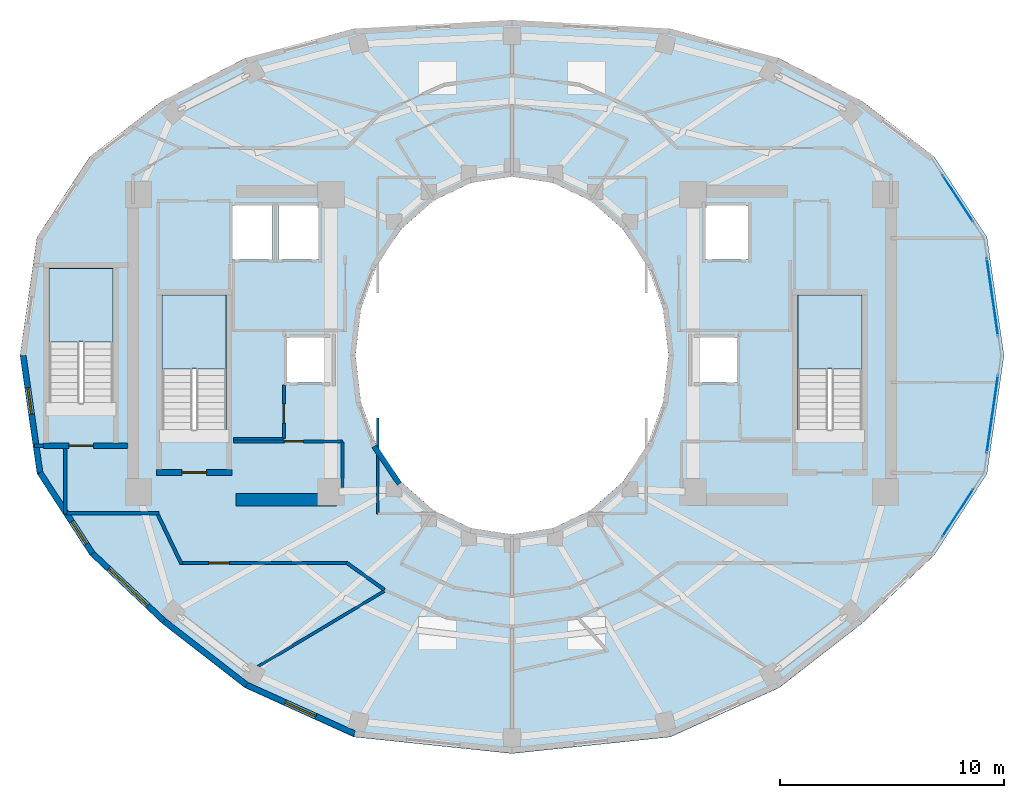
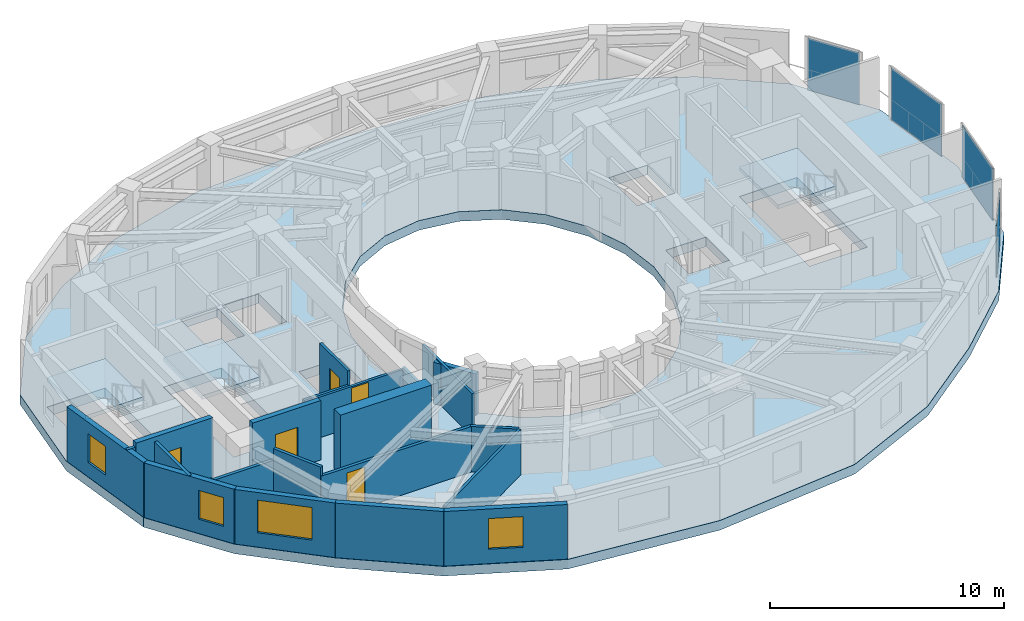
# One storey, part 5 of 12: 21 walls, 5 doors, 4 plates, 4 slabs, 4 windows, 9 openings, 7 elements without a shape of their own.
"""IFC4 building model written with IfcOpenShell, lengths in metres."""

import ifcopenshell
import ifcopenshell.guid

model = None  # the IFC model being written
_history = None  # IfcOwnerHistory: only IFC2X3 demands one
_inside = {}  # id of a spatial element -> (the spatial element, [elements in it])
_under = {}  # id of a project, library or spatial element -> (it, [spatial elements below it])
_declared = {}  # id of a project -> (the project, [libraries it declares])
_typed = {}  # id of a type object -> (the type object, [elements of that type])
_made_of = {}  # id of a material, layer set ... -> (it, [elements and type objects made of it])


def new_model(schema):
    """Start an empty IFC model of exactly this schema.

    Asked for "IFC4X3", IfcOpenShell would pick the latest addendum, in which some entities
    have other attributes; the version numbers below select the first issue.
    IFC2X3 requires an IfcOwnerHistory on every rooted entity: one is made here for all.
    """
    global model, _history
    if schema == "IFC4X3":
        model = ifcopenshell.file(schema_version=(4, 3, 0, 0))
    else:
        model = ifcopenshell.file(schema=schema)
    _inside.clear()
    _under.clear()
    _declared.clear()
    _typed.clear()
    _made_of.clear()
    _history = None
    if model.schema == "IFC2X3":
        org = make("IfcOrganization", Name="unknown")
        user = make(
            "IfcPersonAndOrganization",
            ThePerson=make("IfcPerson", FamilyName="unknown"),
            TheOrganization=org,
        )
        app = make(
            "IfcApplication",
            ApplicationDeveloper=org,
            Version="unknown",
            ApplicationFullName="unknown",
            ApplicationIdentifier="unknown",
        )
        _history = make(
            "IfcOwnerHistory",
            OwningUser=user,
            OwningApplication=app,
            ChangeAction="ADDED",
            CreationDate=0,
        )
    return model


def make(cls, **values):
    """One entity of the class cls with the attributes given. An attribute that is None is left unset."""
    return model.create_entity(
        cls, **{name: value for name, value in values.items() if value is not None}
    )


def rooted(cls, **values):
    """An entity with a GlobalId (a new one), such as an element, a storey or a relation."""
    return make(cls, GlobalId=ifcopenshell.guid.new(), OwnerHistory=_history, **values)


def si_unit(unit_type, name, prefix=None):
    """IfcSIUnit, for example si_unit("LENGTHUNIT", "METRE", prefix="MILLI")."""
    return make("IfcSIUnit", UnitType=unit_type, Prefix=prefix, Name=name)


def assignment(units):
    """IfcUnitAssignment: the units of a project."""
    return None if units is None else make("IfcUnitAssignment", Units=units)


def point(xyz):
    """IfcCartesianPoint."""
    return None if xyz is None else make("IfcCartesianPoint", Coordinates=xyz)


def direction(xyz):
    """IfcDirection."""
    return None if xyz is None else make("IfcDirection", DirectionRatios=xyz)


def frame(location, z_axis=None, x_axis=None):
    """IfcAxis2Placement3D, a coordinate frame: its origin and axes. An axis left out is left unset."""
    return make(
        "IfcAxis2Placement3D",
        Location=point(location),
        Axis=direction(z_axis),
        RefDirection=direction(x_axis),
    )


def frame_2d(location, x_axis=None):
    """IfcAxis2Placement2D, a coordinate frame in the plane: its origin and x axis."""
    return make(
        "IfcAxis2Placement2D", Location=point(location), RefDirection=direction(x_axis)
    )


def origin():
    """The frame at (0, 0, 0) with its axes left unset."""
    return frame((0.0, 0.0, 0.0))


def origin_2d():
    """The frame at (0, 0) in the plane with its x axis left unset."""
    return frame_2d((0.0, 0.0))


def place(relative_to, where):
    """IfcLocalPlacement: puts the frame where relative to a parent placement (None: the world)."""
    return make(
        "IfcLocalPlacement", PlacementRelTo=relative_to, RelativePlacement=where
    )


def context(
    kind, dimensions, precision=None, world=None, true_north=None, identifier=None
):
    """IfcGeometricRepresentationContext, for example the 3D "Model" context."""
    return make(
        "IfcGeometricRepresentationContext",
        ContextIdentifier=identifier,
        ContextType=kind,
        CoordinateSpaceDimension=dimensions,
        Precision=precision,
        WorldCoordinateSystem=world,
        TrueNorth=true_north,
    )


def subcontext(parent, identifier, kind, view, scale=None):
    """IfcGeometricRepresentationSubContext, for example "Body" below "Model"."""
    return make(
        "IfcGeometricRepresentationSubContext",
        ContextIdentifier=identifier,
        ContextType=kind,
        ParentContext=parent,
        TargetScale=scale,
        TargetView=view,
    )


def project(units=None, contexts=None):
    """IfcProject with its units and contexts."""
    return rooted(
        "IfcProject",
        Name="project",
        RepresentationContexts=contexts,
        UnitsInContext=assignment(units),
    )


def spatial(cls, under=None, at=None, **own):
    """A site, building, storey or space (cls), placed at a placement, below another one or the project."""
    s = rooted(cls, ObjectPlacement=at, **own)
    if under is not None:
        _under.setdefault(under.id(), (under, []))[1].append(s)
    return s


def polyline(points):
    """IfcPolyline through the points."""
    return make("IfcPolyline", Points=[point(p) for p in points])


def profile(cls, at=None, kind="AREA", **sizes):
    """A parametric profile (cls). Its sizes go by their IFC names, for example OverallWidth=200.0."""
    return make(cls, ProfileType=kind, Position=at, **sizes)


def rectangle(**sizes):
    """IfcRectangleProfileDef."""
    return profile("IfcRectangleProfileDef", **sizes)


def outline(outer, holes=None, kind="AREA"):
    """IfcArbitraryClosedProfileDef: a profile drawn as a closed curve; with holes, ...WithVoids."""
    if holes is None:
        return make("IfcArbitraryClosedProfileDef", ProfileType=kind, OuterCurve=outer)
    return make(
        "IfcArbitraryProfileDefWithVoids",
        ProfileType=kind,
        OuterCurve=outer,
        InnerCurves=holes,
    )


def extrude(swept, where, along, depth):
    """IfcExtrudedAreaSolid: the profile swept, set in the frame where, extruded along a direction by depth."""
    return make(
        "IfcExtrudedAreaSolid",
        SweptArea=swept,
        Position=where,
        ExtrudedDirection=direction(along),
        Depth=depth,
    )


def shape(context_of_items, identifier, shape_type, items):
    """IfcShapeRepresentation: the items that make up one representation, for example the "Body"."""
    return make(
        "IfcShapeRepresentation",
        ContextOfItems=context_of_items,
        RepresentationIdentifier=identifier,
        RepresentationType=shape_type,
        Items=items,
    )


def material(Name=None, Category=None):
    """IfcMaterial."""
    return make("IfcMaterial", Name=Name, Category=Category)


def layer(
    of_material, thickness, ventilated=None, Name=None, Category=None, Priority=None
):
    """IfcMaterialLayer: one layer of a wall or slab, of a material (None: an air gap)."""
    return make(
        "IfcMaterialLayer",
        Material=of_material,
        LayerThickness=thickness,
        IsVentilated=ventilated,
        Name=Name,
        Category=Category,
        Priority=Priority,
    )


def layer_set(layers, Name=None):
    """IfcMaterialLayerSet."""
    return make("IfcMaterialLayerSet", MaterialLayers=layers, LayerSetName=Name)


def made_of(thing, what):
    """Note that an element or type object is made of a material, layer set ...; save() writes the relation."""
    if what is not None:
        _made_of.setdefault(what.id(), (what, []))[1].append(thing)
    return thing


def type_object(cls, material=None, **own):
    """A type object (cls), such as IfcWallType, which elements share."""
    return made_of(rooted(cls, **own), material)


def element(
    cls,
    number,
    at=None,
    inside=None,
    cuts=None,
    type_object=None,
    material=None,
    context=None,
    identifier="Body",
    shape_type=None,
    held_by="IfcProductDefinitionShape",
    body=None,
    shapes=None,
    **own,
):
    """One element of the class cls, such as IfcWall. Its Tag is "e" and its number.

    at: its placement. inside: the storey or other place that contains it. cuts: it is an
    opening in that element (IfcRelVoidsElement). A single representation is given by context,
    identifier, shape_type and body (its items); several are given by shapes. held_by: the class
    of the entity that holds the representations. save() writes the other relations.
    """
    e = rooted(cls, Tag="e%d" % number, ObjectPlacement=at, **own)
    if body is not None:
        shapes = [shape(context, identifier, shape_type, body)]
    if shapes is not None:
        e.Representation = make(held_by, Representations=shapes)
    if inside is not None:
        _inside.setdefault(inside.id(), (inside, []))[1].append(e)
    if cuts is not None:
        rooted(
            "IfcRelVoidsElement", RelatingBuildingElement=cuts, RelatedOpeningElement=e
        )
    if type_object is not None:
        _typed.setdefault(type_object.id(), (type_object, []))[1].append(e)
    return made_of(e, material)


def fill(opening, filler):
    """IfcRelFillsElement: the door or window that sits in an opening."""
    return rooted(
        "IfcRelFillsElement",
        RelatingOpeningElement=opening,
        RelatedBuildingElement=filler,
    )


def aggregate(whole, parts):
    """IfcRelAggregates: a whole, such as a stair, and the parts it consists of."""
    return rooted("IfcRelAggregates", RelatingObject=whole, RelatedObjects=parts)


def save(model, path):
    """Write the relations noted so far, then the file.

    IfcRelAggregates (storeys below a building ...), IfcRelContainedInSpatialStructure (elements
    in a storey), IfcRelDefinesByType, IfcRelAssociatesMaterial and IfcRelDeclares: one each for
    every whole, place, type object, material and project.
    """
    for whole, parts in _under.values():
        aggregate(whole, parts)
    for where, things in _inside.values():
        rooted(
            "IfcRelContainedInSpatialStructure",
            RelatedElements=things,
            RelatingStructure=where,
        )
    for kind, things in _typed.values():
        rooted("IfcRelDefinesByType", RelatedObjects=things, RelatingType=kind)
    for what, things in _made_of.values():
        rooted("IfcRelAssociatesMaterial", RelatedObjects=things, RelatingMaterial=what)
    for by, libraries in _declared.values():
        rooted("IfcRelDeclares", RelatingContext=by, RelatedDefinitions=libraries)
    model.write(path)


model = new_model("IFC4")

# Units and contexts
model_context = context("Model", 3, precision=1e-05, world=origin(), true_north=direction((0.0, 1.0)))
body_context = subcontext(model_context, "Body", "Model", "MODEL_VIEW")
ifc_project = project(units=[si_unit("LENGTHUNIT", "METRE"), si_unit("AREAUNIT", "SQUARE_METRE"), si_unit("VOLUMEUNIT", "CUBIC_METRE"), si_unit("PLANEANGLEUNIT", "RADIAN"), si_unit("MASSUNIT", "GRAM", prefix="KILO")], contexts=[model_context])

# Site, building, storey
site_placement = place(None, origin())
site = spatial("IfcSite", under=ifc_project, at=site_placement, CompositionType="ELEMENT")
building_placement = place(site_placement, origin())
building = spatial("IfcBuilding", under=site, at=building_placement, Name="Solvane Sanctuary Tower", CompositionType="ELEMENT")
storey_placement = place(building_placement, frame((0.0, 0.0, 210.89990234375)))
storey = spatial("IfcBuildingStorey", under=building, at=storey_placement, Name="L64", CompositionType="ELEMENT", Elevation=210.89990234375)

# Curtain wall, plate
ifc_material_1 = material(Name="Anodised Aluminium 6063-T6", Category="aluminium")
ifc_layer_1 = layer(ifc_material_1, 0.2099609375, Name="Anodised Aluminium 6063-T6")
ifc_layer_set_1 = layer_set([ifc_layer_1], Name="Anodised Aluminium 6063-T6")
curtain_wall_type = type_object("IfcCurtainWallType", Name="Curtain Wall CW-PORTAL", PredefinedType="NOTDEFINED", material=ifc_layer_set_1)
curtain_wall_1_placement = place(storey_placement, origin())
curtain_wall_1 = element("IfcCurtainWall", 1, at=curtain_wall_1_placement, inside=storey, type_object=curtain_wall_type, Name="L64 CW-PORTAL Facade Run 00", PredefinedType="NOTDEFINED")
ifc_material_2 = material(Name="Dark Ceramic-Fritted Low-E Glass", Category="glass")
ifc_layer_2 = layer(ifc_material_2, 0.031982421875, Name="Dark Ceramic-Fritted Low-E Glass")
ifc_layer_set_2 = layer_set([ifc_layer_2], Name="Dark Ceramic-Fritted Low-E Glass")
plate_type = type_object("IfcPlateType", Name="Plate PN-FRIT-VIS", PredefinedType="CURTAIN_PANEL", material=ifc_layer_set_2)
plate_1_placement = place(storey_placement, frame((53.482421875, 25.619384765625, 0.065185546875), z_axis=(0.0, 0.0, 1.0), x_axis=(-0.142705117998, 0.989765249591, 0.0)))
plate_1 = element("IfcPlate", 2, at=plate_1_placement, type_object=plate_type, Name="CW-PORTAL panel 1.1", PredefinedType="CURTAIN_PANEL", context=body_context, shape_type="SweptSolid", body=[
    extrude(rectangle(XDim=3.5029296875, YDim=0.031982421875, at=origin_2d()), origin(), (0.0, 0.0, 1.0), 2.7099609375),
])
aggregate(curtain_wall_1, [plate_1])

curtain_wall_2_placement = place(storey_placement, origin())
curtain_wall_2 = element("IfcCurtainWall", 3, at=curtain_wall_2_placement, inside=storey, type_object=curtain_wall_type, Name="L64 CW-PORTAL Facade Run 01", PredefinedType="NOTDEFINED")
plate_2_placement = place(storey_placement, frame((51.932861328125, 30.02392578125, 0.065185546875), z_axis=(0.0, 0.0, 1.0), x_axis=(-0.548791766298, 0.83595908826, 0.0)))
plate_2 = element("IfcPlate", 4, at=plate_2_placement, type_object=plate_type, Name="CW-PORTAL panel 1.1", PredefinedType="CURTAIN_PANEL", context=body_context, shape_type="SweptSolid", body=[
    extrude(rectangle(XDim=2.48095703125, YDim=0.031982421875, at=origin_2d()), origin(), (0.0, 0.0, 1.0), 2.7099609375),
])
aggregate(curtain_wall_2, [plate_2])

curtain_wall_3_placement = place(storey_placement, origin())
curtain_wall_3 = element("IfcCurtainWall", 5, at=curtain_wall_3_placement, inside=storey, type_object=curtain_wall_type, Name="L64 CW-PORTAL Facade Run 22", PredefinedType="NOTDEFINED")
plate_3_placement = place(storey_placement, frame((51.932861328125, 15.955810546875, 0.065185546875), z_axis=(0.0, 0.0, 1.0), x_axis=(0.54447378782, 0.838777857586, 0.0)))
plate_3 = element("IfcPlate", 6, at=plate_3_placement, type_object=plate_type, Name="CW-PORTAL panel 1.1", PredefinedType="CURTAIN_PANEL", context=body_context, shape_type="SweptSolid", body=[
    extrude(rectangle(XDim=2.5146484375, YDim=0.031982421875, at=origin_2d()), origin(), (0.0, 0.0, 1.0), 2.7099609375),
])
aggregate(curtain_wall_3, [plate_3])

curtain_wall_4_placement = place(storey_placement, origin())
curtain_wall_4 = element("IfcCurtainWall", 7, at=curtain_wall_4_placement, inside=storey, type_object=curtain_wall_type, Name="L64 CW-PORTAL Facade Run 23", PredefinedType="NOTDEFINED")
plate_4_placement = place(storey_placement, frame((53.482421875, 20.380615234375, 0.065185546875), z_axis=(0.0, 0.0, 1.0), x_axis=(0.142705117998, 0.989765249591, 0.0)))
plate_4 = element("IfcPlate", 8, at=plate_4_placement, type_object=plate_type, Name="CW-PORTAL panel 1.1", PredefinedType="CURTAIN_PANEL", context=body_context, shape_type="SweptSolid", body=[
    extrude(rectangle(XDim=3.5029296875, YDim=0.031982421875, at=origin_2d()), origin(), (0.0, 0.0, 1.0), 2.7099609375),
])
aggregate(curtain_wall_4, [plate_4])

# Stair, slab
ifc_material_3 = material(Name="Concrete C45/55", Category="concrete")
stair_type = type_object("IfcStairType", Name="Stair ST-TOW", PredefinedType="HALF_TURN_STAIR", material=ifc_material_3)
stair_1_placement = place(storey_placement, origin())
stair_1 = element("IfcStair", 9, at=stair_1_placement, inside=storey, type_object=stair_type, Name="L64 Exit Stair ST-1 West Core", PredefinedType="HALF_TURN_STAIR")
ifc_layer_3 = layer(ifc_material_3, 0.199951171875, Name="Concrete C45/55")
ifc_layer_set_3 = layer_set([ifc_layer_3], Name="Concrete C45/55")
slab_type_1 = type_object("IfcSlabType", Name="Slab SL-LAND-180", PredefinedType="LANDING", material=ifc_layer_set_3)
slab_1_placement = place(storey_placement, frame((0.0, 0.0, 1.35009765625)))
slab_1 = element("IfcSlab", 10, at=slab_1_placement, type_object=slab_type_1, Name="ST-1 landing 1", PredefinedType="LANDING", context=body_context, shape_type="SweptSolid", body=[
    extrude(outline(polyline([(19.219970703125, 22.39990234375), (19.219970703125, 25.699951171875), (16.360107421875, 25.699951171875), (16.360107421875, 22.39990234375), (19.219970703125, 22.39990234375)])), origin(), (0.0, 0.0, 1.0), 0.199951171875),
])
aggregate(stair_1, [slab_1])

stair_2_placement = place(storey_placement, origin())
stair_2 = element("IfcStair", 11, at=stair_2_placement, inside=storey, type_object=stair_type, Name="L64 Exit Stair ST-2 East Core", PredefinedType="HALF_TURN_STAIR")
slab_2_placement = place(storey_placement, frame((0.0, 0.0, 1.35009765625)))
slab_2 = element("IfcSlab", 12, at=slab_2_placement, type_object=slab_type_1, Name="ST-2 landing 1", PredefinedType="LANDING", context=body_context, shape_type="SweptSolid", body=[
    extrude(outline(polyline([(47.639892578125, 22.39990234375), (47.639892578125, 25.699951171875), (44.780029296875, 25.699951171875), (44.780029296875, 22.39990234375), (47.639892578125, 22.39990234375)])), origin(), (0.0, 0.0, 1.0), 0.199951171875),
])
aggregate(stair_2, [slab_2])

stair_3_placement = place(storey_placement, origin())
stair_3 = element("IfcStair", 13, at=stair_3_placement, inside=storey, type_object=stair_type, Name="L64 Exit Stair ST-3 Pilgrim Tower Stair", PredefinedType="HALF_TURN_STAIR")
slab_3_placement = place(storey_placement, frame((0.0, 0.0, 1.35009765625)))
slab_3 = element("IfcSlab", 14, at=slab_3_placement, type_object=slab_type_1, Name="ST-3 landing 1", PredefinedType="LANDING", context=body_context, shape_type="SweptSolid", body=[
    extrude(outline(polyline([(14.159912109375, 23.60009765625), (14.159912109375, 26.89990234375), (11.300048828125, 26.89990234375), (11.300048828125, 23.60009765625), (14.159912109375, 23.60009765625)])), origin(), (0.0, 0.0, 1.0), 0.199951171875),
])
aggregate(stair_3, [slab_3])

# Slab
ifc_material_4 = material(Name="Concrete C60/75", Category="concrete")
ifc_layer_4 = layer(ifc_material_4, 0.5, Name="Concrete C60/75")
ifc_layer_set_4 = layer_set([ifc_layer_4], Name="Concrete C60/75")
slab_type_2 = type_object("IfcSlabType", Name="Slab SL-XFER-500", PredefinedType="FLOOR", material=ifc_layer_set_4)
slab_4_placement = place(storey_placement, frame((0.0, 0.0, -0.5)))
element("IfcSlab", 15, at=slab_4_placement, inside=storey, type_object=slab_type_2, Name="L64 Primary Structural Slab", PredefinedType="FLOOR", context=body_context, shape_type="SweptSolid", body=[
    extrude(outline(polyline([(54.0, 23.0), (53.239990234375, 28.283935546875), (50.881103515625, 31.885009765625), (47.6572265625, 34.369384765625), (43.946044921875, 36.29052734375), (39.088134765625, 37.609375), (32.0, 38.0), (24.911865234375, 37.609375), (20.053955078125, 36.29052734375), (16.3427734375, 34.369384765625), (13.118896484375, 31.885009765625), (10.760009765625, 28.283935546875), (10.0, 23.0), (10.760009765625, 17.716064453125), (13.118896484375, 14.074462890625), (16.3427734375, 11.02587890625), (20.053955078125, 8.140625), (24.911865234375, 5.942626953125), (32.0, 5.199951171875), (39.088134765625, 5.942626953125), (43.946044921875, 8.140625), (47.6572265625, 11.02587890625), (50.881103515625, 14.074462890625), (53.239990234375, 17.716064453125), (54.0, 23.0)]), holes=[polyline([(38.761474609375, 20.929443359375), (38.062255859375, 19.0), (36.94970703125, 17.343017578125), (35.5, 16.07177734375), (33.811767578125, 15.272705078125), (32.0, 15.0), (30.188232421875, 15.272705078125), (28.5, 16.07177734375), (27.05029296875, 17.343017578125), (25.937744140625, 19.0), (25.238525390625, 20.929443359375), (25.0, 23.0), (25.238525390625, 25.070556640625), (25.937744140625, 27.0), (27.05029296875, 28.656982421875), (28.5, 29.92822265625), (30.188232421875, 30.727294921875), (32.0, 31.0), (33.811767578125, 30.727294921875), (35.5, 29.92822265625), (36.94970703125, 28.656982421875), (38.062255859375, 27.0), (38.761474609375, 25.070556640625), (39.0, 23.0), (38.761474609375, 20.929443359375)]), polyline([(16.360107421875, 19.699951171875), (16.360107421875, 25.699951171875), (19.219970703125, 25.699951171875), (19.219970703125, 19.699951171875), (16.360107421875, 19.699951171875)]), polyline([(44.780029296875, 19.699951171875), (44.780029296875, 25.699951171875), (47.639892578125, 25.699951171875), (47.639892578125, 19.699951171875), (44.780029296875, 19.699951171875)]), polyline([(11.300048828125, 20.89990234375), (11.300048828125, 26.89990234375), (14.159912109375, 26.89990234375), (14.159912109375, 20.89990234375), (11.300048828125, 20.89990234375)]), polyline([(21.949951171875, 23.800048828125), (23.949951171875, 23.800048828125), (23.949951171875, 21.800048828125), (21.949951171875, 21.800048828125), (21.949951171875, 23.800048828125)]), polyline([(40.050048828125, 23.800048828125), (42.050048828125, 23.800048828125), (42.050048828125, 21.800048828125), (40.050048828125, 21.800048828125), (40.050048828125, 23.800048828125)]), polyline([(19.5, 29.699951171875), (21.300048828125, 29.699951171875), (21.300048828125, 27.300048828125), (19.5, 27.300048828125), (19.5, 29.699951171875)]), polyline([(21.550048828125, 29.699951171875), (23.35009765625, 29.699951171875), (23.35009765625, 27.300048828125), (21.550048828125, 27.300048828125), (21.550048828125, 29.699951171875)]), polyline([(40.64990234375, 29.699951171875), (42.550048828125, 29.699951171875), (42.550048828125, 27.300048828125), (40.64990234375, 27.300048828125), (40.64990234375, 29.699951171875)])]), origin(), (0.0, 0.0, 1.0), 0.5),
])

# Walls
ifc_material_5 = material(Name="Concrete C50/60", Category="concrete")
ifc_layer_5 = layer(ifc_material_5, 0.550048828125, Name="Concrete C50/60")
ifc_layer_set_5 = layer_set([ifc_layer_5], Name="Concrete C50/60")
wall_type_1 = type_object("IfcWallType", Name="Wall W-CORE-550", PredefinedType="SHEAR", material=ifc_layer_set_5)
wall_1_placement = place(storey_placement, frame((19.64990234375, 16.550048828125, 0.0), z_axis=(0.0, 0.0, 1.0), x_axis=(1.0, 0.0, 0.0)))
element("IfcWall", 16, at=wall_1_placement, inside=storey, type_object=wall_type_1, Name="L64 Core Shear Wall WC-S", PredefinedType="SHEAR", context=body_context, shape_type="SweptSolid", body=[
    extrude(rectangle(XDim=4.5, YDim=0.550048828125, at=frame_2d((2.25, 0.0))), origin(), (0.0, 0.0, 1.0), 3.10009765625),
])
ifc_material_6 = material(Name="Acoustic Gypsum Partition Board")
ifc_layer_6 = layer(ifc_material_6, 0.14990234375, Name="Acoustic Gypsum Partition Board")
ifc_layer_set_6 = layer_set([ifc_layer_6], Name="Acoustic Gypsum Partition Board")
wall_type_2 = type_object("IfcWallType", Name="Wall W-CORR-150", PredefinedType="PARTITIONING", material=ifc_layer_set_6)
wall_2_placement = place(storey_placement, frame((10.639892578125, 18.969970703125, 0.0), z_axis=(0.0, 0.0, 1.0), x_axis=(1.0, 0.0, 0.0)))
element("IfcWall", 17, at=wall_2_placement, inside=storey, type_object=wall_type_2, Name="L64 SW Corner Closer 1", PredefinedType="PARTITIONING", context=body_context, shape_type="SweptSolid", body=[
    extrude(rectangle(XDim=0.400146484375, YDim=0.14990234375, at=frame_2d((0.2001953125, 0.0))), origin(), (0.0, 0.0, 1.0), 2.85498046875),
])
wall_3_placement = place(storey_placement, frame((12.02001953125, 15.909912109375, 0.0), z_axis=(0.0, 0.0, 1.0), x_axis=(0.0, 1.0, 0.0)))
element("IfcWall", 18, at=wall_3_placement, inside=storey, type_object=wall_type_2, Name="L64 SW Corner Closer 2", PredefinedType="PARTITIONING", context=body_context, shape_type="SweptSolid", body=[
    extrude(rectangle(XDim=2.93017578125, YDim=0.14990234375, at=frame_2d((1.465087890625, 0.0))), origin(), (0.0, 0.0, 1.0), 2.85498046875),
])
wall_4_placement = place(storey_placement, frame((11.97998046875, 15.949951171875, 0.0), z_axis=(0.0, 0.0, 1.0), x_axis=(1.0, 0.0, 0.0)))
element("IfcWall", 19, at=wall_4_placement, inside=storey, type_object=wall_type_2, Name="L64 SW Corner Closer 3", PredefinedType="PARTITIONING", context=body_context, shape_type="SweptSolid", body=[
    extrude(rectangle(XDim=4.239990234375, YDim=0.14990234375, at=frame_2d((2.1201171875, 0.0))), origin(), (0.0, 0.0, 1.0), 2.22021484375),
])
wall_5_placement = place(storey_placement, frame((26.290283203125, 12.527099609375, 0.0), z_axis=(0.0, 0.0, 1.0), x_axis=(-0.813780999276, 0.581171648669, 0.0)))
element("IfcWall", 20, at=wall_5_placement, inside=storey, type_object=wall_type_2, Name="L64 SW Corner Throat Wall", PredefinedType="PARTITIONING", context=body_context, shape_type="SweptSolid", body=[
    extrude(rectangle(XDim=2.082275390625, YDim=0.14990234375, at=frame_2d((1.041015625, 0.0))), origin(), (0.0, 0.0, 1.0), 2.3759765625),
])

# Wall, opening, door
wall_6_placement = place(storey_placement, frame((17.14990234375, 13.719970703125, 0.0), z_axis=(0.0, 0.0, 1.0), x_axis=(1.0, 0.0, 0.0)))
wall_6 = element("IfcWall", 21, at=wall_6_placement, inside=storey, type_object=wall_type_2, Name="L64 SW Corner Corridor Wall", PredefinedType="PARTITIONING", context=body_context, shape_type="SweptSolid", body=[
    extrude(rectangle(XDim=7.52001953125, YDim=0.14990234375, at=frame_2d((3.760009765625, 0.0))), origin(), (0.0, 0.0, 1.0), 2.3759765625),
])
opening_1_placement = place(wall_6_placement, frame((1.300048828125, 0.0, 0.0)))
opening_1 = element("IfcOpeningElement", 22, at=opening_1_placement, cuts=wall_6, Name="Opening D-L64-21", PredefinedType="OPENING", context=body_context, shape_type="SweptSolid", body=[
    extrude(rectangle(XDim=0.89990234375, YDim=2.10009765625, at=frame_2d((0.449951171875, 1.050048828125))), frame((0.0, 0.0849609375, 0.0), z_axis=(0.0, -1.0, 0.0), x_axis=(1.0, 0.0, 0.0)), (0.0, 0.0, 1.0), 0.169921875),
])
ifc_material_7 = material(Name="Engineered Tropical Hardwood", Category="wood")
door_type_1 = type_object("IfcDoorType", Name="Door D-WET-900", OperationType="NOTDEFINED", PredefinedType="DOOR", material=ifc_material_7)
door_1_placement = place(opening_1_placement, origin())
door_1 = element("IfcDoor", 23, at=door_1_placement, inside=storey, type_object=door_type_1, Name="L64 SW Corner Salon Door", OperationType="SINGLE_SWING_LEFT", OverallHeight=2.10009765625, OverallWidth=0.89990234375, PredefinedType="DOOR", context=body_context, shape_type="SweptSolid", body=[
    extrude(rectangle(XDim=0.89990234375, YDim=2.10009765625, at=frame_2d((0.449951171875, 1.050048828125))), frame((0.0, 0.02490234375, 0.0), z_axis=(0.0, -1.0, 0.0), x_axis=(1.0, 0.0, 0.0)), (0.0, 0.0, 1.0), 0.050048828125),
])
fill(opening_1, door_1)

# Wall
wall_7_placement = place(storey_placement, frame((17.2216796875, 13.6748046875, 0.0), z_axis=(0.0, 0.0, 1.0), x_axis=(-0.431973389813, 0.901886351207, 0.0)))
element("IfcWall", 24, at=wall_7_placement, inside=storey, type_object=wall_type_2, Name="L64 SW Corner Wing Wall", PredefinedType="PARTITIONING", context=body_context, shape_type="SweptSolid", body=[
    extrude(rectangle(XDim=2.45166015625, YDim=0.14990234375, at=frame_2d((1.225830078125, 0.0))), origin(), (0.0, 0.0, 1.0), 2.85498046875),
])

# Wall, opening, window
ifc_material_8 = material(Name="Precast concrete C40/50", Category="concrete")
ifc_layer_7 = layer(ifc_material_8, 0.260009765625, Name="Precast concrete C40/50")
ifc_layer_set_7 = layer_set([ifc_layer_7], Name="Precast concrete C40/50")
wall_type_3 = type_object("IfcWallType", Name="Wall W-EXT-250", PredefinedType="STANDARD", material=ifc_layer_set_7)
wall_8_placement = place(storey_placement, frame((10.139892578125, 23.0, 0.0), z_axis=(0.0, 0.0, 1.0), x_axis=(0.142712754019, -0.989764148593, 0.0)))
wall_8 = element("IfcWall", 25, at=wall_8_placement, inside=storey, type_object=wall_type_3, Name="L64 Ceramic-Printed Facade Wall 12", PredefinedType="STANDARD", context=body_context, shape_type="SweptSolid", body=[
    extrude(rectangle(XDim=5.29296875, YDim=0.260009765625, at=frame_2d((2.646484375, 0.0))), origin(), (0.0, 0.0, 1.0), 2.85009765625),
])
opening_2_placement = place(wall_8_placement, frame((1.4580078125, 0.0, 0.75)))
opening_2 = element("IfcOpeningElement", 26, at=opening_2_placement, cuts=wall_8, Name="Opening WN-OPER-1200", PredefinedType="OPENING", context=body_context, shape_type="SweptSolid", body=[
    extrude(rectangle(XDim=1.199951171875, YDim=1.5, at=frame_2d((0.60009765625, 0.75))), frame((0.0, 0.139892578125, 0.0), z_axis=(0.0, -1.0, 0.0), x_axis=(1.0, 0.0, 0.0)), (0.0, 0.0, 1.0), 0.280029296875),
])
window_type_1 = type_object("IfcWindowType", Name="Window WN-OPER-1200", PartitioningType="SINGLE_PANEL", PredefinedType="WINDOW", material=ifc_material_2)
window_1_placement = place(opening_2_placement, origin())
window_1 = element("IfcWindow", 27, at=window_1_placement, inside=storey, type_object=window_type_1, Name="L64 Operable Facade Window 12", OverallHeight=1.5, OverallWidth=1.199951171875, PartitioningType="SINGLE_PANEL", PredefinedType="WINDOW", context=body_context, shape_type="SweptSolid", body=[
    extrude(rectangle(XDim=1.199951171875, YDim=1.5, at=frame_2d((0.60009765625, 0.75))), frame((0.0, 0.030029296875, 0.0), z_axis=(0.0, -1.0, 0.0), x_axis=(1.0, 0.0, 0.0)), (0.0, 0.0, 1.0), 0.06005859375),
])
fill(opening_2, window_1)

wall_9_placement = place(storey_placement, frame((10.895263671875, 17.76123046875, 0.0), z_axis=(0.0, 0.0, 1.0), x_axis=(0.544475908819, -0.838776480784, 0.0)))
wall_9 = element("IfcWall", 28, at=wall_9_placement, inside=storey, type_object=wall_type_3, Name="L64 Ceramic-Printed Facade Wall 13", PredefinedType="STANDARD", context=body_context, shape_type="SweptSolid", body=[
    extrude(rectangle(XDim=4.3046875, YDim=0.260009765625, at=frame_2d((2.15234375, 0.0))), origin(), (0.0, 0.0, 1.0), 2.85009765625),
])
opening_3_placement = place(wall_9_placement, frame((2.60693359375, 0.0, 0.75)))
opening_3 = element("IfcOpeningElement", 29, at=opening_3_placement, cuts=wall_9, Name="Opening WN-OPER-1200", PredefinedType="OPENING", context=body_context, shape_type="SweptSolid", body=[
    extrude(rectangle(XDim=1.199951171875, YDim=1.5, at=frame_2d((0.60009765625, 0.75))), frame((0.0, 0.139892578125, 0.0), z_axis=(0.0, -1.0, 0.0), x_axis=(1.0, 0.0, 0.0)), (0.0, 0.0, 1.0), 0.280029296875),
])
window_2_placement = place(opening_3_placement, origin())
window_2 = element("IfcWindow", 30, at=window_2_placement, inside=storey, type_object=window_type_1, Name="L64 Operable Facade Window 13", OverallHeight=1.5, OverallWidth=1.199951171875, PartitioningType="SINGLE_PANEL", PredefinedType="WINDOW", context=body_context, shape_type="SweptSolid", body=[
    extrude(rectangle(XDim=1.199951171875, YDim=1.5, at=frame_2d((0.60009765625, 0.75))), frame((0.0, 0.030029296875, 0.0), z_axis=(0.0, -1.0, 0.0), x_axis=(1.0, 0.0, 0.0)), (0.0, 0.0, 1.0), 0.06005859375),
])
fill(opening_3, window_2)

wall_10_placement = place(storey_placement, frame((13.239013671875, 14.150634765625, 0.0), z_axis=(0.0, 0.0, 1.0), x_axis=(0.72731899451, -0.686299555752, 0.0)))
wall_10 = element("IfcWall", 31, at=wall_10_placement, inside=storey, type_object=wall_type_3, Name="L64 Ceramic-Printed Facade Wall 14", PredefinedType="STANDARD", context=body_context, shape_type="SweptSolid", body=[
    extrude(rectangle(XDim=4.404296875, YDim=0.260009765625, at=frame_2d((2.2021484375, 0.0))), origin(), (0.0, 0.0, 1.0), 2.85009765625),
])
opening_4_placement = place(wall_10_placement, frame((1.002197265625, 0.0, 0.75)))
opening_4 = element("IfcOpeningElement", 32, at=opening_4_placement, cuts=wall_10, Name="Opening WN-RIB-2400", PredefinedType="OPENING", context=body_context, shape_type="SweptSolid", body=[
    extrude(rectangle(XDim=2.39990234375, YDim=1.699951171875, at=frame_2d((1.199951171875, 0.85009765625))), frame((0.0, 0.139892578125, 0.0), z_axis=(0.0, -1.0, 0.0), x_axis=(1.0, 0.0, 0.0)), (0.0, 0.0, 1.0), 0.280029296875),
])
window_type_2 = type_object("IfcWindowType", Name="Window WN-RIB-2400", PartitioningType="SINGLE_PANEL", PredefinedType="WINDOW", material=ifc_material_2)
window_3_placement = place(opening_4_placement, origin())
window_3 = element("IfcWindow", 33, at=window_3_placement, inside=storey, type_object=window_type_2, Name="L64 Operable Facade Window 14", OverallHeight=1.699951171875, OverallWidth=2.39990234375, PartitioningType="SINGLE_PANEL", PredefinedType="WINDOW", context=body_context, shape_type="SweptSolid", body=[
    extrude(rectangle(XDim=2.39990234375, YDim=1.699951171875, at=frame_2d((1.199951171875, 0.85009765625))), frame((0.0, 0.030029296875, 0.0), z_axis=(0.0, -1.0, 0.0), x_axis=(1.0, 0.0, 0.0)), (0.0, 0.0, 1.0), 0.06005859375),
])
fill(opening_4, window_3)

# Wall
wall_11_placement = place(storey_placement, frame((16.4423828125, 11.1279296875, 0.0), z_axis=(0.0, 0.0, 1.0), x_axis=(0.790126214723, -0.612944177563, 0.0)))
element("IfcWall", 34, at=wall_11_placement, inside=storey, type_object=wall_type_3, Name="L64 Ceramic-Printed Facade Wall 15", PredefinedType="STANDARD", context=body_context, shape_type="SweptSolid", body=[
    extrude(rectangle(XDim=4.6669921875, YDim=0.260009765625, at=frame_2d((2.33349609375, 0.0))), origin(), (0.0, 0.0, 1.0), 2.85009765625),
])

# Wall, opening, window
wall_12_placement = place(storey_placement, frame((20.1298828125, 8.267333984375, 0.0), z_axis=(0.0, 0.0, 1.0), x_axis=(0.911427484938, -0.411460738952, 0.0)))
wall_12 = element("IfcWall", 35, at=wall_12_placement, inside=storey, type_object=wall_type_3, Name="L64 Ceramic-Printed Facade Wall 16", PredefinedType="STANDARD", context=body_context, shape_type="SweptSolid", body=[
    extrude(rectangle(XDim=5.296142578125, YDim=0.260009765625, at=frame_2d((2.64794921875, 0.0))), origin(), (0.0, 0.0, 1.0), 2.85009765625),
])
opening_5_placement = place(wall_12_placement, frame((1.898193359375, 0.0, 0.75)))
opening_5 = element("IfcOpeningElement", 36, at=opening_5_placement, cuts=wall_12, Name="Opening WN-OPER-1500", PredefinedType="OPENING", context=body_context, shape_type="SweptSolid", body=[
    extrude(rectangle(XDim=1.5, YDim=1.60009765625, at=frame_2d((0.75, 0.800048828125))), frame((0.0, 0.139892578125, 0.0), z_axis=(0.0, -1.0, 0.0), x_axis=(1.0, 0.0, 0.0)), (0.0, 0.0, 1.0), 0.280029296875),
])
window_type_3 = type_object("IfcWindowType", Name="Window WN-OPER-1500", PartitioningType="SINGLE_PANEL", PredefinedType="WINDOW", material=ifc_material_2)
window_4_placement = place(opening_5_placement, origin())
window_4 = element("IfcWindow", 37, at=window_4_placement, inside=storey, type_object=window_type_3, Name="L64 Operable Facade Window 16", OverallHeight=1.60009765625, OverallWidth=1.5, PartitioningType="SINGLE_PANEL", PredefinedType="WINDOW", context=body_context, shape_type="SweptSolid", body=[
    extrude(rectangle(XDim=1.5, YDim=1.60009765625, at=frame_2d((0.75, 0.800048828125))), frame((0.0, 0.030029296875, 0.0), z_axis=(0.0, -1.0, 0.0), x_axis=(1.0, 0.0, 0.0)), (0.0, 0.0, 1.0), 0.06005859375),
])
fill(opening_5, window_4)

# Wall
ifc_layer_8 = layer(ifc_material_8, 0.22998046875, Name="Precast concrete C40/50")
ifc_layer_set_8 = layer_set([ifc_layer_8], Name="Precast concrete C40/50")
wall_type_4 = type_object("IfcWallType", Name="Wall W-EXT-SP220", PredefinedType="STANDARD", material=ifc_layer_set_8)
wall_13_placement = place(storey_placement, frame((25.833984375, 18.93994140625, 0.0), z_axis=(0.0, 0.0, 1.0), x_axis=(0.558197800898, -0.829707909492, 0.0)))
element("IfcWall", 38, at=wall_13_placement, inside=storey, type_object=wall_type_4, Name="L64 Central Light-Well Wall 14", PredefinedType="STANDARD", context=body_context, shape_type="SweptSolid", body=[
    extrude(rectangle(XDim=2.02685546875, YDim=0.22998046875, at=frame_2d((1.013427734375, 0.0))), origin(), (0.0, 0.0, 1.0), 2.16015625),
])

# Wall, opening, door
ifc_layer_9 = layer(ifc_material_6, 0.125, Name="Acoustic Gypsum Partition Board")
ifc_layer_set_9 = layer_set([ifc_layer_9], Name="Acoustic Gypsum Partition Board")
wall_type_5 = type_object("IfcWallType", Name="Wall W-PART-125", PredefinedType="PARTITIONING", material=ifc_layer_set_9)
wall_14_placement = place(storey_placement, frame((19.550048828125, 19.159912109375, 0.0), z_axis=(0.0, 0.0, 1.0), x_axis=(1.0, 0.0, 0.0)))
wall_14 = element("IfcWall", 39, at=wall_14_placement, inside=storey, type_object=wall_type_5, Name="L64 Reclaimed Room Partition PLW", PredefinedType="PARTITIONING", context=body_context, shape_type="SweptSolid", body=[
    extrude(rectangle(XDim=4.869873046875, YDim=0.125, at=frame_2d((2.43505859375, 0.0))), origin(), (0.0, 0.0, 1.0), 2.1201171875),
])
opening_6_placement = place(wall_14_placement, frame((2.271728515625, 0.0, 0.0)))
opening_6 = element("IfcOpeningElement", 40, at=opening_6_placement, cuts=wall_14, Name="Opening D-L64-06", PredefinedType="OPENING", context=body_context, shape_type="SweptSolid", body=[
    extrude(rectangle(XDim=0.85009765625, YDim=2.050048828125, at=frame_2d((0.425048828125, 1.02490234375))), frame((0.0, 0.072509765625, 0.0), z_axis=(0.0, -1.0, 0.0), x_axis=(1.0, 0.0, 0.0)), (0.0, 0.0, 1.0), 0.14501953125),
])
ifc_material_9 = material(Name="Architectural Stainless Steel 316", Category="steel")
door_type_2 = type_object("IfcDoorType", Name="Door D-RISER", OperationType="NOTDEFINED", PredefinedType="DOOR", material=ifc_material_9)
door_2_placement = place(opening_6_placement, origin())
door_2 = element("IfcDoor", 41, at=door_2_placement, inside=storey, type_object=door_type_2, Name="L64 Reclaimed Room Door PLW-1", OperationType="SINGLE_SWING_RIGHT", OverallHeight=2.050048828125, OverallWidth=0.85009765625, PredefinedType="DOOR", context=body_context, shape_type="SweptSolid", body=[
    extrude(rectangle(XDim=0.85009765625, YDim=2.050048828125, at=frame_2d((0.425048828125, 1.02490234375))), frame((0.0, 0.02490234375, 0.0), z_axis=(0.0, -1.0, 0.0), x_axis=(1.0, 0.0, 0.0)), (0.0, 0.0, 1.0), 0.050048828125),
])
fill(opening_6, door_2)

# Wall
wall_15_placement = place(storey_placement, frame((24.419921875, 17.10009765625, 0.0), z_axis=(0.0, 0.0, 1.0), x_axis=(0.0, 1.0, 0.0)))
element("IfcWall", 42, at=wall_15_placement, inside=storey, type_object=wall_type_5, Name="L64 Reclaimed Room Closer Wall PLW-1", PredefinedType="PARTITIONING", context=body_context, shape_type="SweptSolid", body=[
    extrude(rectangle(XDim=2.039794921875, YDim=0.125, at=frame_2d((1.02001953125, 0.0))), origin(), (0.0, 0.0, 1.0), 2.232177734375),
])

# Wall, opening, door
wall_16_placement = place(storey_placement, frame((21.800048828125, 19.280029296875, 0.0), z_axis=(0.0, 0.0, 1.0), x_axis=(0.0, 1.0, 0.0)))
wall_16 = element("IfcWall", 43, at=wall_16_placement, inside=storey, type_object=wall_type_5, Name="L64 Reclaimed Room Partition PMW", PredefinedType="PARTITIONING", context=body_context, shape_type="SweptSolid", body=[
    extrude(rectangle(XDim=2.39990234375, YDim=0.125, at=frame_2d((1.199951171875, 0.0))), origin(), (0.0, 0.0, 1.0), 2.85498046875),
])
opening_7_placement = place(wall_16_placement, frame((0.699951171875, 0.0, 0.0)))
opening_7 = element("IfcOpeningElement", 44, at=opening_7_placement, cuts=wall_16, Name="Opening D-L64-08", PredefinedType="OPENING", context=body_context, shape_type="SweptSolid", body=[
    extrude(rectangle(XDim=0.85009765625, YDim=2.050048828125, at=frame_2d((0.425048828125, 1.02490234375))), frame((0.0, 0.072509765625, 0.0), z_axis=(0.0, -1.0, 0.0), x_axis=(1.0, 0.0, 0.0)), (0.0, 0.0, 1.0), 0.14501953125),
])
door_3_placement = place(opening_7_placement, origin())
door_3 = element("IfcDoor", 45, at=door_3_placement, inside=storey, type_object=door_type_2, Name="L64 Reclaimed Room Door PMW-1", OperationType="SINGLE_SWING_RIGHT", OverallHeight=2.050048828125, OverallWidth=0.85009765625, PredefinedType="DOOR", context=body_context, shape_type="SweptSolid", body=[
    extrude(rectangle(XDim=0.85009765625, YDim=2.050048828125, at=frame_2d((0.425048828125, 1.02490234375))), frame((0.0, 0.02490234375, 0.0), z_axis=(0.0, -1.0, 0.0), x_axis=(1.0, 0.0, 0.0)), (0.0, 0.0, 1.0), 0.050048828125),
])
fill(opening_7, door_3)

# Walls
wall_17_placement = place(storey_placement, frame((19.550048828125, 19.280029296875, 0.0), z_axis=(0.0, 0.0, 1.0), x_axis=(1.0, 0.0, 0.0)))
element("IfcWall", 46, at=wall_17_placement, inside=storey, type_object=wall_type_5, Name="L64 Reclaimed Room Closer Wall PMW-1", PredefinedType="PARTITIONING", context=body_context, shape_type="SweptSolid", body=[
    extrude(rectangle(XDim=2.2099609375, YDim=0.125, at=frame_2d((1.10498046875, 0.0))), origin(), (0.0, 0.0, 1.0), 2.1201171875),
])
wall_18_placement = place(storey_placement, frame((26.0, 15.919921875, 0.0), z_axis=(0.0, 0.0, 1.0), x_axis=(0.0, 1.0, 0.0)))
element("IfcWall", 47, at=wall_18_placement, inside=storey, type_object=wall_type_5, Name="L64 Bridge Alcove Wall 5", PredefinedType="PARTITIONING", context=body_context, shape_type="SweptSolid", body=[
    extrude(rectangle(XDim=4.280029296875, YDim=0.125, at=frame_2d((2.14013671875, 0.0))), origin(), (0.0, 0.0, 1.0), 2.232177734375),
])
wall_19_placement = place(storey_placement, frame((26.287841796875, 12.466796875, 0.0), z_axis=(0.0, 0.0, 1.0), x_axis=(-0.858332411245, -0.513094018487, 0.0)))
element("IfcWall", 48, at=wall_19_placement, inside=storey, type_object=wall_type_5, Name="L64 Radial Compartment Wall 240", PredefinedType="PARTITIONING", context=body_context, shape_type="SweptSolid", body=[
    extrude(rectangle(XDim=6.5859375, YDim=0.125, at=frame_2d((3.29296875, 0.0))), origin(), (0.0, 0.0, 1.0), 2.3759765625),
])

# Wall, opening, door
ifc_layer_10 = layer(ifc_material_5, 0.25, Name="Concrete C50/60")
ifc_layer_set_10 = layer_set([ifc_layer_10], Name="Concrete C50/60")
wall_type_6 = type_object("IfcWallType", Name="Wall W-SHAFT-250", PredefinedType="SOLIDWALL", material=ifc_layer_set_10)
wall_20_placement = place(storey_placement, frame((16.10498046875, 17.77001953125, 0.0), z_axis=(0.0, 0.0, 1.0), x_axis=(1.0, 0.0, 0.0)))
wall_20 = element("IfcWall", 49, at=wall_20_placement, inside=storey, type_object=wall_type_6, Name="L64 ST-1 Load-Bearing Shaft Wall S", PredefinedType="SOLIDWALL", context=body_context, shape_type="SweptSolid", body=[
    extrude(rectangle(XDim=3.3701171875, YDim=0.25, at=frame_2d((1.68505859375, 0.0))), origin(), (0.0, 0.0, 1.0), 3.10009765625),
])
opening_8_placement = place(wall_20_placement, frame((1.135009765625, 0.0, 0.0)))
opening_8 = element("IfcOpeningElement", 50, at=opening_8_placement, cuts=wall_20, Name="Opening D-L64-01", PredefinedType="OPENING", context=body_context, shape_type="SweptSolid", body=[
    extrude(rectangle(XDim=1.10009765625, YDim=2.10009765625, at=frame_2d((0.550048828125, 1.050048828125))), frame((0.0, 0.135009765625, 0.0), z_axis=(0.0, -1.0, 0.0), x_axis=(1.0, 0.0, 0.0)), (0.0, 0.0, 1.0), 0.27001953125),
])
door_type_3 = type_object("IfcDoorType", Name="Door D-STAIR", OperationType="NOTDEFINED", PredefinedType="DOOR", material=ifc_material_9)
door_4_placement = place(opening_8_placement, origin())
door_4 = element("IfcDoor", 51, at=door_4_placement, inside=storey, type_object=door_type_3, Name="L64 ST-1 Exit Stair Fire Door", OperationType="SINGLE_SWING_RIGHT", OverallHeight=2.10009765625, OverallWidth=1.10009765625, PredefinedType="DOOR", context=body_context, shape_type="SweptSolid", body=[
    extrude(rectangle(XDim=1.10009765625, YDim=2.10009765625, at=frame_2d((0.550048828125, 1.050048828125))), frame((0.0, 0.02490234375, 0.0), z_axis=(0.0, -1.0, 0.0), x_axis=(1.0, 0.0, 0.0)), (0.0, 0.0, 1.0), 0.050048828125),
])
fill(opening_8, door_4)

wall_21_placement = place(storey_placement, frame((11.044921875, 18.969970703125, 0.0), z_axis=(0.0, 0.0, 1.0), x_axis=(1.0, 0.0, 0.0)))
wall_21 = element("IfcWall", 52, at=wall_21_placement, inside=storey, type_object=wall_type_6, Name="L64 ST-3 Load-Bearing Shaft Wall S", PredefinedType="SOLIDWALL", context=body_context, shape_type="SweptSolid", body=[
    extrude(rectangle(XDim=3.781982421875, YDim=0.25, at=frame_2d((1.89111328125, 0.0))), origin(), (0.0, 0.0, 1.0), 3.10009765625),
])
opening_9_placement = place(wall_21_placement, frame((1.135009765625, 0.0, 0.0)))
opening_9 = element("IfcOpeningElement", 53, at=opening_9_placement, cuts=wall_21, Name="Opening D-L64-03", PredefinedType="OPENING", context=body_context, shape_type="SweptSolid", body=[
    extrude(rectangle(XDim=1.10009765625, YDim=2.10009765625, at=frame_2d((0.550048828125, 1.050048828125))), frame((0.0, 0.135009765625, 0.0), z_axis=(0.0, -1.0, 0.0), x_axis=(1.0, 0.0, 0.0)), (0.0, 0.0, 1.0), 0.27001953125),
])
door_5_placement = place(opening_9_placement, origin())
door_5 = element("IfcDoor", 54, at=door_5_placement, inside=storey, type_object=door_type_3, Name="L64 ST-3 Exit Stair Fire Door", OperationType="SINGLE_SWING_RIGHT", OverallHeight=2.10009765625, OverallWidth=1.10009765625, PredefinedType="DOOR", context=body_context, shape_type="SweptSolid", body=[
    extrude(rectangle(XDim=1.10009765625, YDim=2.10009765625, at=frame_2d((0.550048828125, 1.050048828125))), frame((0.0, 0.02490234375, 0.0), z_axis=(0.0, -1.0, 0.0), x_axis=(1.0, 0.0, 0.0)), (0.0, 0.0, 1.0), 0.050048828125),
])
fill(opening_9, door_5)

save(model, "model.ifc")
